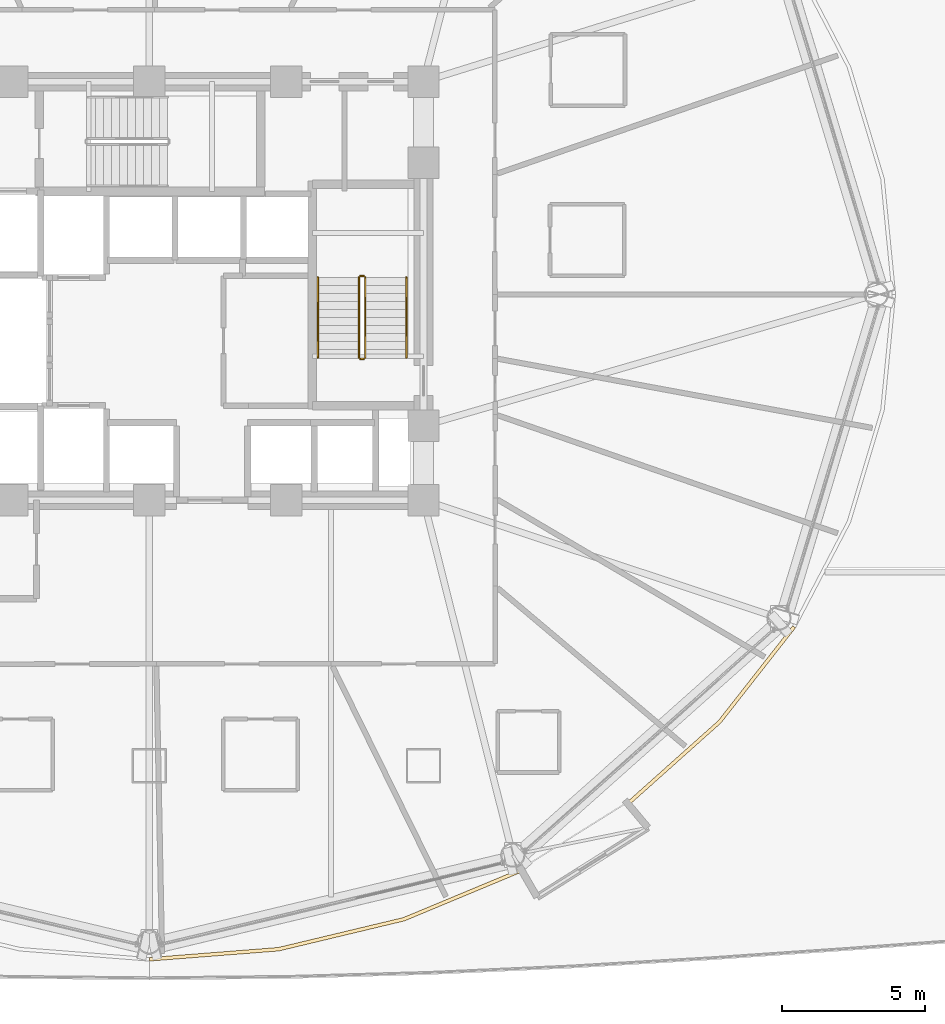
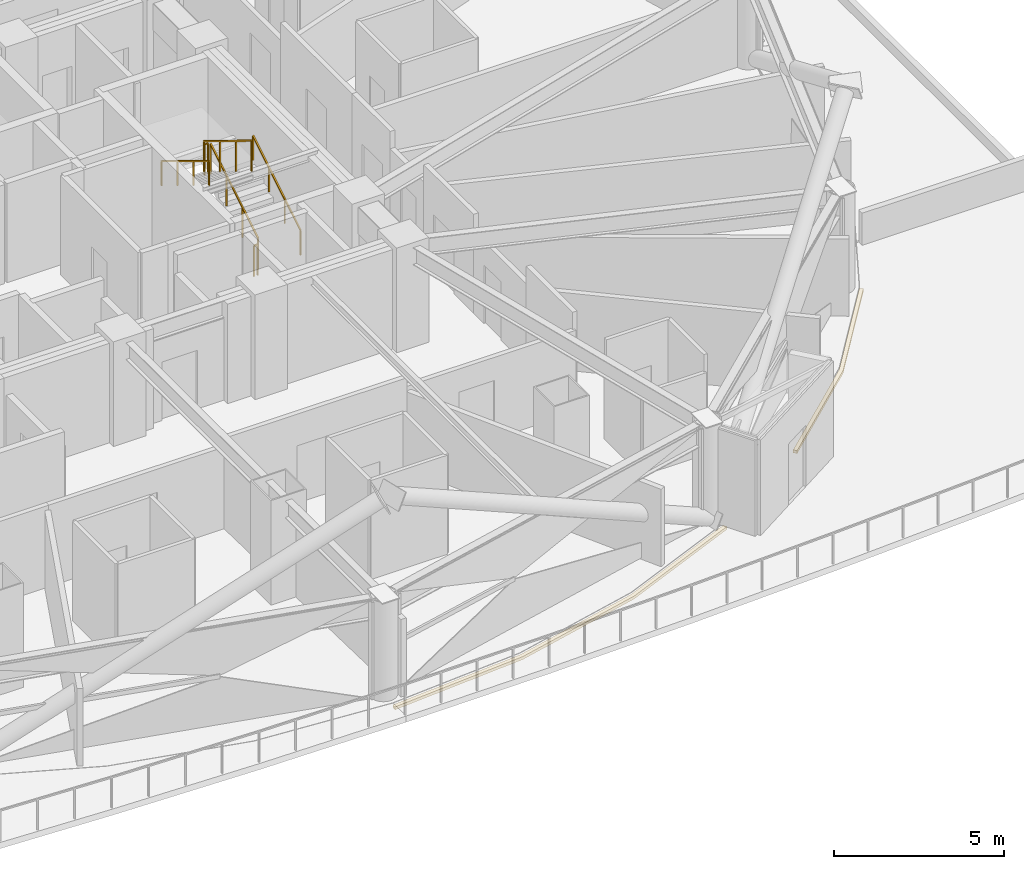
# One storey, part 26 of 27: 6 railings, 2 coverings.
"""IFC4 building model written with IfcOpenShell, lengths in metres."""

from ifc_helpers import new_model, si_unit, direction, frame, origin, origin_2d, place, context, subcontext, project, spatial, polyline, rectangle, outline, extrude, material, layer, layer_set, type_object, element, save


model = new_model("IFC4")

# Units and contexts
model_context = context("Model", 3, precision=1e-05, world=origin(), true_north=direction((0.0, 1.0)))
body_context = subcontext(model_context, "Body", "Model", "MODEL_VIEW")
ifc_project = project(units=[si_unit("LENGTHUNIT", "METRE"), si_unit("AREAUNIT", "SQUARE_METRE"), si_unit("VOLUMEUNIT", "CUBIC_METRE"), si_unit("PLANEANGLEUNIT", "RADIAN"), si_unit("MASSUNIT", "GRAM", prefix="KILO")], contexts=[model_context])

# Site, building, storey
site_placement = place(None, origin())
site = spatial("IfcSite", under=ifc_project, at=site_placement, CompositionType="ELEMENT")
building_placement = place(site_placement, origin())
building = spatial("IfcBuilding", under=site, at=building_placement, Name="Vantalir Tower", CompositionType="ELEMENT")
storey_placement = place(building_placement, frame((0.0, 0.0, 27.0)))
storey = spatial("IfcBuildingStorey", under=building, at=storey_placement, Name="L05", CompositionType="ELEMENT", Elevation=27.0)

# Coverings
ifc_material_1 = material(Name="Anodised champagne aluminium sill fascia", Category="aluminium")
ifc_layer = layer(ifc_material_1, 0.125)
ifc_layer_set = layer_set([ifc_layer], Name="Anodised champagne aluminium sill fascia")
covering_type = type_object("IfcCoveringType", Name="COV-SLAB-FASCIA-125", PredefinedType="CLADDING", material=ifc_layer_set)
covering_1_placement = place(storey_placement, frame((0.0, 0.0, -0.179931640625)))
element("IfcCovering", 1, at=covering_1_placement, inside=storey, type_object=covering_type, Name="L05 Perimeter Slab-Edge Sill Fascia 10", PredefinedType="CLADDING", context=body_context, shape_type="SweptSolid", body=[
    extrude(outline(polyline([(31.5, 1.660888671875), (36.037109375, 2.01611328125), (40.43505859375, 3.069091796875), (44.56298828125, 4.7880859375), (44.5, 4.89599609375), (40.39306640625, 3.18603515625), (36.014892578125, 2.138916015625), (31.5, 1.785888671875), (31.5, 1.660888671875)])), origin(), (0.0, 0.0, 1.0), 0.10498046875),
])
covering_2_placement = place(storey_placement, frame((0.0, 0.0, -0.179931640625)))
element("IfcCovering", 2, at=covering_2_placement, inside=storey, type_object=covering_type, Name="L05 Perimeter Slab-Edge Sill Fascia 11", PredefinedType="CLADDING", context=body_context, shape_type="SweptSolid", body=[
    extrude(outline(polyline([(48.29296875, 7.12109375), (51.512939453125, 9.998046875), (54.125, 13.330078125), (54.01708984375, 13.39306640625), (51.4169921875, 10.077880859375), (48.2119140625, 7.217041015625), (48.29296875, 7.12109375)])), origin(), (0.0, 0.0, 1.0), 0.10498046875),
])

# Railings
ifc_material_2 = material(Name="Anodised aluminium and stainless steel guard", Category="steel")
railing_type_1 = type_object("IfcRailingType", Name="RAL-GUARD-1120", PredefinedType="GUARDRAIL", material=ifc_material_2)
railing_1_placement = place(storey_placement, frame((39.06005859375, 22.7900390625, 0.17041015625)))
element("IfcRailing", 3, at=railing_1_placement, inside=storey, type_object=railing_type_1, Name="L05 ST2 stair guard 1", PredefinedType="GUARDRAIL", context=body_context, shape_type="SweptSolid", body=[
    extrude(rectangle(XDim=0.048095703125, YDim=0.048095703125, at=origin_2d()), frame((0.0, 0.0, 1.09619140625), z_axis=(0.0, 0.854169791009, 0.51999420009), x_axis=(-1.0, 0.0, 0.0)), (0.0, 0.0, 1.0), 3.278076171875),
    extrude(rectangle(XDim=0.0419921875, YDim=0.0419921875, at=origin_2d()), origin(), (0.0, 0.0, 1.0), 1.072021484375),
    extrude(rectangle(XDim=0.0419921875, YDim=0.0419921875, at=origin_2d()), frame((0.0, 0.933349609375, 0.568115234375)), (0.0, 0.0, 1.0), 1.072021484375),
    extrude(rectangle(XDim=0.0419921875, YDim=0.0419921875, at=origin_2d()), frame((0.0, 1.86669921875, 1.136474609375)), (0.0, 0.0, 1.0), 1.072021484375),
    extrude(rectangle(XDim=0.0419921875, YDim=0.0419921875, at=origin_2d()), frame((0.0, 2.800048828125, 1.70458984375)), (0.0, 0.0, 1.0), 1.072021484375),
])
railing_2_placement = place(storey_placement, frame((39.010009765625, 25.639892578125, 1.875)))
element("IfcRailing", 4, at=railing_2_placement, inside=storey, type_object=railing_type_1, Name="L05 ST2 stair guard 2", PredefinedType="GUARDRAIL", context=body_context, shape_type="SweptSolid", body=[
    extrude(rectangle(XDim=0.048095703125, YDim=0.048095703125, at=origin_2d()), frame((0.0, 0.0, 1.09619140625), z_axis=(-1.0, 0.0, 0.0), x_axis=(0.0, -1.0, 0.0)), (0.0, 0.0, 1.0), 0.1201171875),
    extrude(rectangle(XDim=0.0419921875, YDim=0.0419921875, at=origin_2d()), origin(), (0.0, 0.0, 1.0), 1.072021484375),
    extrude(rectangle(XDim=0.0419921875, YDim=0.0419921875, at=origin_2d()), frame((-0.1201171875, 0.0, 0.0)), (0.0, 0.0, 1.0), 1.072021484375),
])
railing_3_placement = place(storey_placement, frame((38.840087890625, 25.590087890625, 2.04541015625)))
element("IfcRailing", 5, at=railing_3_placement, inside=storey, type_object=railing_type_1, Name="L05 ST2 stair guard 3", PredefinedType="GUARDRAIL", context=body_context, shape_type="SweptSolid", body=[
    extrude(rectangle(XDim=0.048095703125, YDim=0.048095703125, at=origin_2d()), frame((0.0, 0.0, 1.09619140625), z_axis=(0.0, -0.854169791009, 0.51999420009), x_axis=(1.0, 0.0, 0.0)), (0.0, 0.0, 1.0), 3.278076171875),
    extrude(rectangle(XDim=0.0419921875, YDim=0.0419921875, at=origin_2d()), origin(), (0.0, 0.0, 1.0), 1.072021484375),
    extrude(rectangle(XDim=0.0419921875, YDim=0.0419921875, at=origin_2d()), frame((0.0, -0.933349609375, 0.568115234375)), (0.0, 0.0, 1.0), 1.072021484375),
    extrude(rectangle(XDim=0.0419921875, YDim=0.0419921875, at=origin_2d()), frame((0.0, -1.86669921875, 1.136474609375)), (0.0, 0.0, 1.0), 1.072021484375),
    extrude(rectangle(XDim=0.0419921875, YDim=0.0419921875, at=origin_2d()), frame((0.0, -2.800048828125, 1.70458984375)), (0.0, 0.0, 1.0), 1.072021484375),
])
railing_4_placement = place(storey_placement, frame((39.010009765625, 22.739990234375, 0.0)))
element("IfcRailing", 6, at=railing_4_placement, inside=storey, type_object=railing_type_1, Name="L05 ST2 stair guard 4", PredefinedType="GUARDRAIL", context=body_context, shape_type="SweptSolid", body=[
    extrude(rectangle(XDim=0.048095703125, YDim=0.048095703125, at=origin_2d()), frame((0.0, 0.0, 1.09619140625), z_axis=(-1.0, 0.0, 0.0), x_axis=(0.0, -1.0, 0.0)), (0.0, 0.0, 1.0), 0.1201171875),
    extrude(rectangle(XDim=0.0419921875, YDim=0.0419921875, at=origin_2d()), origin(), (0.0, 0.0, 1.0), 1.072021484375),
    extrude(rectangle(XDim=0.0419921875, YDim=0.0419921875, at=origin_2d()), frame((-0.1201171875, 0.0, 0.0)), (0.0, 0.0, 1.0), 1.072021484375),
])
ifc_material_3 = material(Name="Brushed stainless steel tubular handrail", Category="steel")
railing_type_2 = type_object("IfcRailingType", Name="RAL-HANDRAIL-900", PredefinedType="HANDRAIL", material=ifc_material_3)
railing_5_placement = place(storey_placement, frame((40.5, 22.7900390625, 0.17041015625)))
element("IfcRailing", 7, at=railing_5_placement, inside=storey, type_object=railing_type_2, Name="L05 ST2 stair handrail 1", PredefinedType="HANDRAIL", context=body_context, shape_type="SweptSolid", body=[
    extrude(rectangle(XDim=0.048095703125, YDim=0.048095703125, at=origin_2d()), frame((0.0, 0.0, 0.8759765625), z_axis=(0.0, 0.854169791009, 0.51999420009), x_axis=(-1.0, 0.0, 0.0)), (0.0, 0.0, 1.0), 3.278076171875),
    extrude(rectangle(XDim=0.0419921875, YDim=0.0419921875, at=origin_2d()), origin(), (0.0, 0.0, 1.0), 0.851806640625),
    extrude(rectangle(XDim=0.0419921875, YDim=0.0419921875, at=origin_2d()), frame((0.0, 0.933349609375, 0.568115234375)), (0.0, 0.0, 1.0), 0.851806640625),
    extrude(rectangle(XDim=0.0419921875, YDim=0.0419921875, at=origin_2d()), frame((0.0, 1.86669921875, 1.136474609375)), (0.0, 0.0, 1.0), 0.851806640625),
    extrude(rectangle(XDim=0.0419921875, YDim=0.0419921875, at=origin_2d()), frame((0.0, 2.800048828125, 1.70458984375)), (0.0, 0.0, 1.0), 0.851806640625),
])
railing_6_placement = place(storey_placement, frame((37.39990234375, 25.590087890625, 2.04541015625)))
element("IfcRailing", 8, at=railing_6_placement, inside=storey, type_object=railing_type_2, Name="L05 ST2 stair handrail 2", PredefinedType="HANDRAIL", context=body_context, shape_type="SweptSolid", body=[
    extrude(rectangle(XDim=0.048095703125, YDim=0.048095703125, at=origin_2d()), frame((0.0, 0.0, 0.8759765625), z_axis=(0.0, -0.854169791009, 0.51999420009), x_axis=(1.0, 0.0, 0.0)), (0.0, 0.0, 1.0), 3.278076171875),
    extrude(rectangle(XDim=0.0419921875, YDim=0.0419921875, at=origin_2d()), origin(), (0.0, 0.0, 1.0), 0.851806640625),
    extrude(rectangle(XDim=0.0419921875, YDim=0.0419921875, at=origin_2d()), frame((0.0, -0.933349609375, 0.568115234375)), (0.0, 0.0, 1.0), 0.851806640625),
    extrude(rectangle(XDim=0.0419921875, YDim=0.0419921875, at=origin_2d()), frame((0.0, -1.86669921875, 1.136474609375)), (0.0, 0.0, 1.0), 0.851806640625),
    extrude(rectangle(XDim=0.0419921875, YDim=0.0419921875, at=origin_2d()), frame((0.0, -2.800048828125, 1.70458984375)), (0.0, 0.0, 1.0), 0.851806640625),
])

save(model, "model.ifc")
